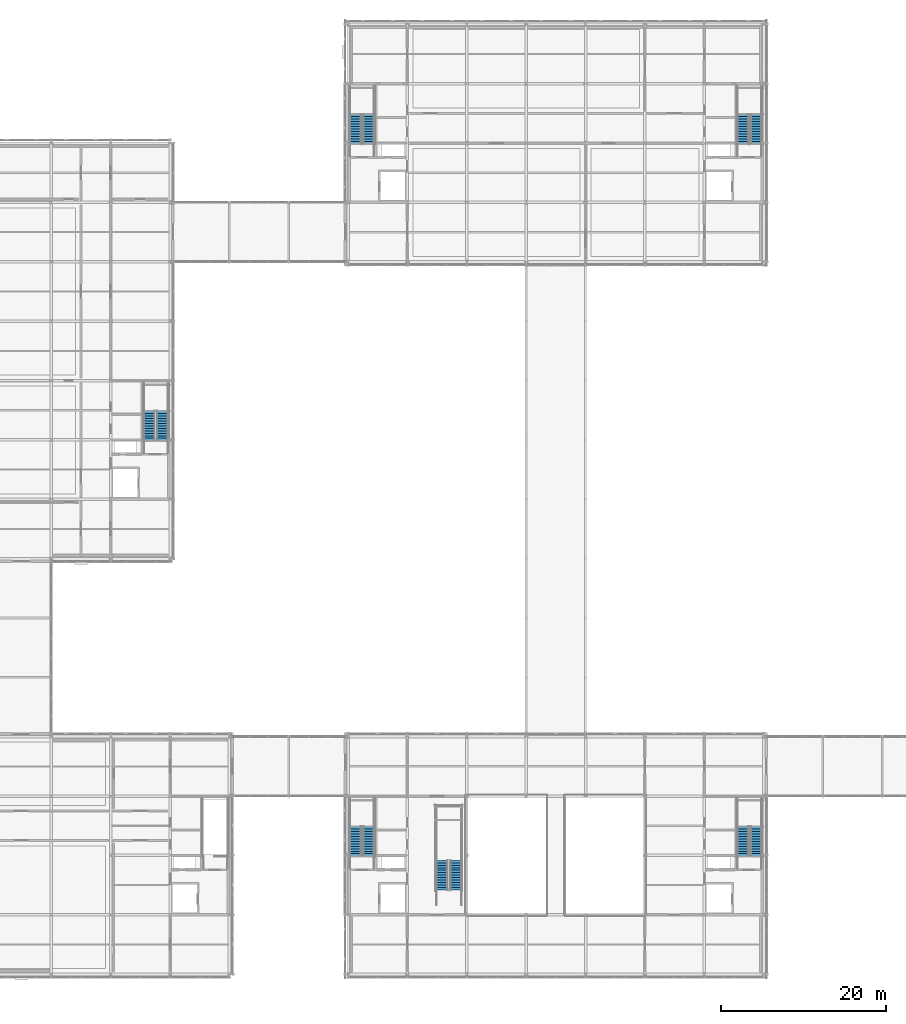
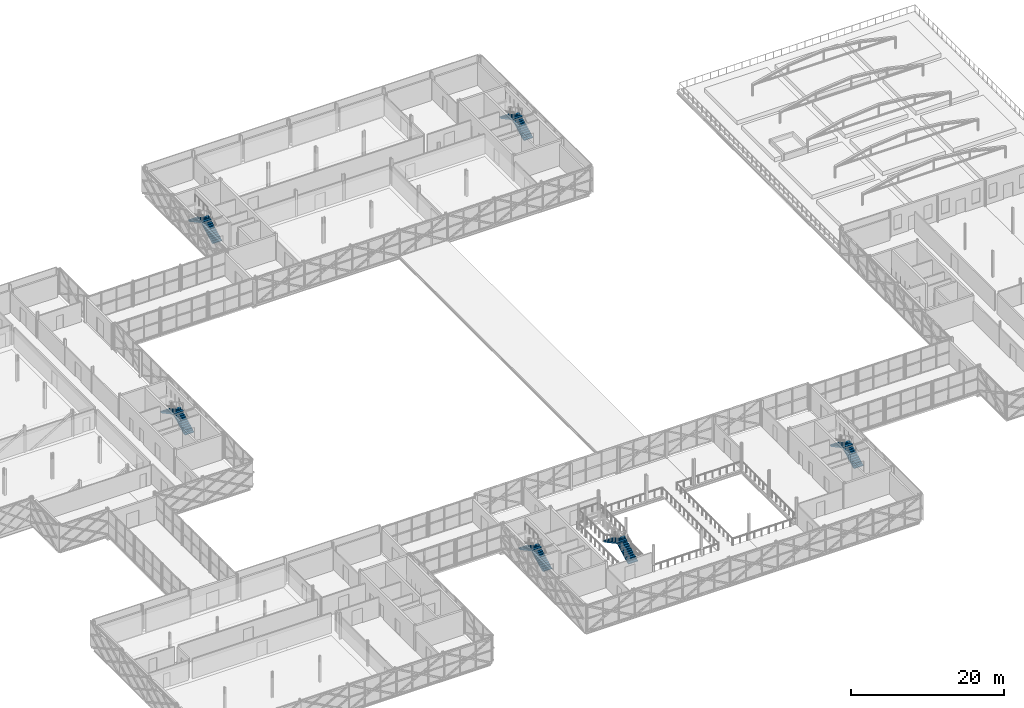
# One storey, part 110 of 126: 12 stair flights, 6 elements without a shape of their own.
"""IFC4 building model written with IfcOpenShell, lengths in metres."""

from ifc_helpers import new_model, si_unit, direction, frame, origin, place, context, subcontext, project, spatial, polyline, outline, extrude, material, type_object, element, aggregate, save


model = new_model("IFC4")

# Units and contexts
model_context = context("Model", 3, precision=1e-05, world=origin(), true_north=direction((0.0, 1.0)))
body_context = subcontext(model_context, "Body", "Model", "MODEL_VIEW")
ifc_project = project(units=[si_unit("LENGTHUNIT", "METRE"), si_unit("AREAUNIT", "SQUARE_METRE"), si_unit("VOLUMEUNIT", "CUBIC_METRE"), si_unit("PLANEANGLEUNIT", "RADIAN"), si_unit("MASSUNIT", "GRAM", prefix="KILO")], contexts=[model_context])

# Site, building, storey
site_placement = place(None, origin())
site = spatial("IfcSite", under=ifc_project, at=site_placement, CompositionType="ELEMENT")
building_placement = place(site_placement, origin())
building = spatial("IfcBuilding", under=site, at=building_placement, Name="Zlatovets Crest Museum", CompositionType="ELEMENT")
storey_placement = place(building_placement, frame((0.0, 0.0, 8.699951171875)))
storey = spatial("IfcBuildingStorey", under=building, at=storey_placement, Name="L02", CompositionType="ELEMENT", Elevation=8.699951171875)

# Stair, stair flights
ifc_material = material(Name="Concrete C35/45", Category="concrete")
stair_type_1 = type_object("IfcStairType", Name="Stair_ST1-26R", PredefinedType="HALF_TURN_STAIR", material=ifc_material)
stair_1_placement = place(storey_placement, origin())
stair_1 = element("IfcStair", 1, at=stair_1_placement, inside=storey, type_object=stair_type_1, Name="L02 Core C1 Escape Stair ST1", PredefinedType="HALF_TURN_STAIR")
stair_flight_type_1 = type_object("IfcStairFlightType", Name="Flight_ST1F-13R", PredefinedType="STRAIGHT", material=ifc_material)
stair_flight_1_placement = place(storey_placement, frame((60.10009765625, 100.699951171875, 0.0), z_axis=(0.0, 0.0, 1.0), x_axis=(0.0, 1.0, 0.0)))
stair_flight_1 = element("IfcStairFlight", 2, at=stair_flight_1_placement, type_object=stair_flight_type_1, Name="ST1 flight 1", NumberOfRisers=13, NumberOfTreads=12, PredefinedType="STRAIGHT", RiserHeight=0.161538462, TreadLength=0.3, context=body_context, shape_type="SweptSolid", body=[
    extrude(outline(polyline([(0.0, 0.0), (0.0, 0.16162109375), (0.300048828125, 0.16162109375), (0.300048828125, 0.322998046875), (0.60009765625, 0.322998046875), (0.60009765625, 0.484619140625), (0.89990234375, 0.484619140625), (0.89990234375, 0.646240234375), (1.199951171875, 0.646240234375), (1.199951171875, 0.8076171875), (1.5, 0.8076171875), (1.5, 0.96923828125), (1.800048828125, 0.96923828125), (1.800048828125, 1.130859375), (2.10009765625, 1.130859375), (2.10009765625, 1.292236328125), (2.39990234375, 1.292236328125), (2.39990234375, 1.453857421875), (2.699951171875, 1.453857421875), (2.699951171875, 1.615478515625), (3.0, 1.615478515625), (3.0, 1.77685546875), (3.300048828125, 1.77685546875), (3.300048828125, 1.9384765625), (3.60009765625, 1.9384765625), (3.60009765625, 2.10009765625), (3.60009765625, 1.768310546875), (0.316162109375, 0.0), (0.0, 0.0)])), frame((0.0, 0.699951171875, 0.0), z_axis=(0.0, -1.0, 0.0), x_axis=(1.0, 0.0, 0.0)), (0.0, 0.0, 1.0), 1.39990234375),
])
stair_flight_2_placement = place(storey_placement, frame((58.5, 104.300048828125, 2.10009765625), z_axis=(0.0, 0.0, 1.0), x_axis=(0.0, -1.0, 0.0)))
stair_flight_2 = element("IfcStairFlight", 3, at=stair_flight_2_placement, type_object=stair_flight_type_1, Name="ST1 flight 2", NumberOfRisers=13, NumberOfTreads=12, PredefinedType="STRAIGHT", RiserHeight=0.161538462, TreadLength=0.3, context=body_context, shape_type="SweptSolid", body=[
    extrude(outline(polyline([(0.0, 0.0), (0.0, 0.16162109375), (0.300048828125, 0.16162109375), (0.300048828125, 0.322998046875), (0.60009765625, 0.322998046875), (0.60009765625, 0.484619140625), (0.89990234375, 0.484619140625), (0.89990234375, 0.646240234375), (1.199951171875, 0.646240234375), (1.199951171875, 0.8076171875), (1.5, 0.8076171875), (1.5, 0.96923828125), (1.800048828125, 0.96923828125), (1.800048828125, 1.130859375), (2.10009765625, 1.130859375), (2.10009765625, 1.292236328125), (2.39990234375, 1.292236328125), (2.39990234375, 1.453857421875), (2.699951171875, 1.453857421875), (2.699951171875, 1.615478515625), (3.0, 1.615478515625), (3.0, 1.77685546875), (3.300048828125, 1.77685546875), (3.300048828125, 1.9384765625), (3.60009765625, 1.9384765625), (3.60009765625, 2.10009765625), (3.60009765625, 1.768310546875), (0.316162109375, 0.0), (0.0, 0.0)])), frame((0.0, 0.699951171875, 0.0), z_axis=(0.0, -1.0, 0.0), x_axis=(1.0, 0.0, 0.0)), (0.0, 0.0, 1.0), 1.39990234375),
])
aggregate(stair_1, [stair_flight_1, stair_flight_2])

stair_type_2 = type_object("IfcStairType", Name="Stair_ST2-26R", PredefinedType="HALF_TURN_STAIR", material=ifc_material)
stair_2_placement = place(storey_placement, origin())
stair_2 = element("IfcStair", 4, at=stair_2_placement, inside=storey, type_object=stair_type_2, Name="L02 Core C2 Escape Stair ST2", PredefinedType="HALF_TURN_STAIR")
stair_flight_type_2 = type_object("IfcStairFlightType", Name="Flight_ST2F-13R", PredefinedType="STRAIGHT", material=ifc_material)
stair_flight_3_placement = place(storey_placement, frame((60.10009765625, 14.300048828125, 0.0), z_axis=(0.0, 0.0, 1.0), x_axis=(0.0, 1.0, 0.0)))
stair_flight_3 = element("IfcStairFlight", 5, at=stair_flight_3_placement, type_object=stair_flight_type_2, Name="ST2 flight 1", NumberOfRisers=13, NumberOfTreads=12, PredefinedType="STRAIGHT", RiserHeight=0.161538462, TreadLength=0.3, context=body_context, shape_type="SweptSolid", body=[
    extrude(outline(polyline([(0.0, 0.0), (0.0, 0.16162109375), (0.300048828125, 0.16162109375), (0.300048828125, 0.322998046875), (0.60009765625, 0.322998046875), (0.60009765625, 0.484619140625), (0.89990234375, 0.484619140625), (0.89990234375, 0.646240234375), (1.199951171875, 0.646240234375), (1.199951171875, 0.8076171875), (1.5, 0.8076171875), (1.5, 0.96923828125), (1.800048828125, 0.96923828125), (1.800048828125, 1.130859375), (2.10009765625, 1.130859375), (2.10009765625, 1.292236328125), (2.39990234375, 1.292236328125), (2.39990234375, 1.453857421875), (2.699951171875, 1.453857421875), (2.699951171875, 1.615478515625), (3.0, 1.615478515625), (3.0, 1.77685546875), (3.300048828125, 1.77685546875), (3.300048828125, 1.9384765625), (3.60009765625, 1.9384765625), (3.60009765625, 2.10009765625), (3.60009765625, 1.768310546875), (0.316162109375, 0.0), (0.0, 0.0)])), frame((0.0, 0.699951171875, 0.0), z_axis=(0.0, -1.0, 0.0), x_axis=(1.0, 0.0, 0.0)), (0.0, 0.0, 1.0), 1.39990234375),
])
stair_flight_4_placement = place(storey_placement, frame((58.5, 17.89990234375, 2.10009765625), z_axis=(0.0, 0.0, 1.0), x_axis=(0.0, -1.0, 0.0)))
stair_flight_4 = element("IfcStairFlight", 6, at=stair_flight_4_placement, type_object=stair_flight_type_2, Name="ST2 flight 2", NumberOfRisers=13, NumberOfTreads=12, PredefinedType="STRAIGHT", RiserHeight=0.161538462, TreadLength=0.3, context=body_context, shape_type="SweptSolid", body=[
    extrude(outline(polyline([(0.0, 0.0), (0.0, 0.16162109375), (0.300048828125, 0.16162109375), (0.300048828125, 0.322998046875), (0.60009765625, 0.322998046875), (0.60009765625, 0.484619140625), (0.89990234375, 0.484619140625), (0.89990234375, 0.646240234375), (1.199951171875, 0.646240234375), (1.199951171875, 0.8076171875), (1.5, 0.8076171875), (1.5, 0.96923828125), (1.800048828125, 0.96923828125), (1.800048828125, 1.130859375), (2.10009765625, 1.130859375), (2.10009765625, 1.292236328125), (2.39990234375, 1.292236328125), (2.39990234375, 1.453857421875), (2.699951171875, 1.453857421875), (2.699951171875, 1.615478515625), (3.0, 1.615478515625), (3.0, 1.77685546875), (3.300048828125, 1.77685546875), (3.300048828125, 1.9384765625), (3.60009765625, 1.9384765625), (3.60009765625, 2.10009765625), (3.60009765625, 1.768310546875), (0.316162109375, 0.0), (0.0, 0.0)])), frame((0.0, 0.699951171875, 0.0), z_axis=(0.0, -1.0, 0.0), x_axis=(1.0, 0.0, 0.0)), (0.0, 0.0, 1.0), 1.39990234375),
])
aggregate(stair_2, [stair_flight_3, stair_flight_4])

stair_type_3 = type_object("IfcStairType", Name="Stair_ST4-26R", PredefinedType="HALF_TURN_STAIR", material=ifc_material)
stair_3_placement = place(storey_placement, origin())
stair_3 = element("IfcStair", 7, at=stair_3_placement, inside=storey, type_object=stair_type_3, Name="L02 Core C4 Escape Stair ST4", PredefinedType="HALF_TURN_STAIR")
stair_flight_type_3 = type_object("IfcStairFlightType", Name="Flight_ST4F-13R", PredefinedType="STRAIGHT", material=ifc_material)
stair_flight_5_placement = place(storey_placement, frame((35.10009765625, 64.699951171875, 0.0), z_axis=(0.0, 0.0, 1.0), x_axis=(0.0, 1.0, 0.0)))
stair_flight_5 = element("IfcStairFlight", 8, at=stair_flight_5_placement, type_object=stair_flight_type_3, Name="ST4 flight 1", NumberOfRisers=13, NumberOfTreads=12, PredefinedType="STRAIGHT", RiserHeight=0.161538462, TreadLength=0.3, context=body_context, shape_type="SweptSolid", body=[
    extrude(outline(polyline([(0.0, 0.0), (0.0, 0.16162109375), (0.300048828125, 0.16162109375), (0.300048828125, 0.322998046875), (0.60009765625, 0.322998046875), (0.60009765625, 0.484619140625), (0.89990234375, 0.484619140625), (0.89990234375, 0.646240234375), (1.199951171875, 0.646240234375), (1.199951171875, 0.8076171875), (1.5, 0.8076171875), (1.5, 0.96923828125), (1.800048828125, 0.96923828125), (1.800048828125, 1.130859375), (2.10009765625, 1.130859375), (2.10009765625, 1.292236328125), (2.39990234375, 1.292236328125), (2.39990234375, 1.453857421875), (2.699951171875, 1.453857421875), (2.699951171875, 1.615478515625), (3.0, 1.615478515625), (3.0, 1.77685546875), (3.300048828125, 1.77685546875), (3.300048828125, 1.9384765625), (3.60009765625, 1.9384765625), (3.60009765625, 2.10009765625), (3.60009765625, 1.768310546875), (0.316162109375, 0.0), (0.0, 0.0)])), frame((0.0, 0.699951171875, 0.0), z_axis=(0.0, -1.0, 0.0), x_axis=(1.0, 0.0, 0.0)), (0.0, 0.0, 1.0), 1.39990234375),
])
stair_flight_6_placement = place(storey_placement, frame((33.5, 68.300048828125, 2.10009765625), z_axis=(0.0, 0.0, 1.0), x_axis=(0.0, -1.0, 0.0)))
stair_flight_6 = element("IfcStairFlight", 9, at=stair_flight_6_placement, type_object=stair_flight_type_3, Name="ST4 flight 2", NumberOfRisers=13, NumberOfTreads=12, PredefinedType="STRAIGHT", RiserHeight=0.161538462, TreadLength=0.3, context=body_context, shape_type="SweptSolid", body=[
    extrude(outline(polyline([(0.0, 0.0), (0.0, 0.16162109375), (0.300048828125, 0.16162109375), (0.300048828125, 0.322998046875), (0.60009765625, 0.322998046875), (0.60009765625, 0.484619140625), (0.89990234375, 0.484619140625), (0.89990234375, 0.646240234375), (1.199951171875, 0.646240234375), (1.199951171875, 0.8076171875), (1.5, 0.8076171875), (1.5, 0.96923828125), (1.800048828125, 0.96923828125), (1.800048828125, 1.130859375), (2.10009765625, 1.130859375), (2.10009765625, 1.292236328125), (2.39990234375, 1.292236328125), (2.39990234375, 1.453857421875), (2.699951171875, 1.453857421875), (2.699951171875, 1.615478515625), (3.0, 1.615478515625), (3.0, 1.77685546875), (3.300048828125, 1.77685546875), (3.300048828125, 1.9384765625), (3.60009765625, 1.9384765625), (3.60009765625, 2.10009765625), (3.60009765625, 1.768310546875), (0.316162109375, 0.0), (0.0, 0.0)])), frame((0.0, 0.699951171875, 0.0), z_axis=(0.0, -1.0, 0.0), x_axis=(1.0, 0.0, 0.0)), (0.0, 0.0, 1.0), 1.39990234375),
])
aggregate(stair_3, [stair_flight_5, stair_flight_6])

stair_type_4 = type_object("IfcStairType", Name="Stair_ST6-26R", PredefinedType="HALF_TURN_STAIR", material=ifc_material)
stair_4_placement = place(storey_placement, origin())
stair_4 = element("IfcStair", 10, at=stair_4_placement, inside=storey, type_object=stair_type_4, Name="L02 Atrium Feature Stair ST6", PredefinedType="HALF_TURN_STAIR")
stair_flight_type_4 = type_object("IfcStairFlightType", Name="Flight_ST6F-13R", PredefinedType="STRAIGHT", material=ifc_material)
stair_flight_7_placement = place(storey_placement, frame((70.675048828125, 10.199951171875, 0.0), z_axis=(0.0, 0.0, 1.0), x_axis=(0.0, 1.0, 0.0)))
stair_flight_7 = element("IfcStairFlight", 11, at=stair_flight_7_placement, type_object=stair_flight_type_4, Name="ST6 flight 1", NumberOfRisers=13, NumberOfTreads=12, PredefinedType="STRAIGHT", RiserHeight=0.161538462, TreadLength=0.3, context=body_context, shape_type="SweptSolid", body=[
    extrude(outline(polyline([(0.0, 0.0), (0.0, 0.16162109375), (0.300048828125, 0.16162109375), (0.300048828125, 0.322998046875), (0.60009765625, 0.322998046875), (0.60009765625, 0.484619140625), (0.89990234375, 0.484619140625), (0.89990234375, 0.646240234375), (1.199951171875, 0.646240234375), (1.199951171875, 0.8076171875), (1.5, 0.8076171875), (1.5, 0.96923828125), (1.800048828125, 0.96923828125), (1.800048828125, 1.130859375), (2.10009765625, 1.130859375), (2.10009765625, 1.292236328125), (2.39990234375, 1.292236328125), (2.39990234375, 1.453857421875), (2.699951171875, 1.453857421875), (2.699951171875, 1.615478515625), (3.0, 1.615478515625), (3.0, 1.77685546875), (3.300048828125, 1.77685546875), (3.300048828125, 1.9384765625), (3.60009765625, 1.9384765625), (3.60009765625, 2.10009765625), (3.60009765625, 1.768310546875), (0.316162109375, 0.0), (0.0, 0.0)])), frame((0.0, 0.72509765625, 0.0), z_axis=(0.0, -1.0, 0.0), x_axis=(1.0, 0.0, 0.0)), (0.0, 0.0, 1.0), 1.449951171875),
])
stair_flight_8_placement = place(storey_placement, frame((68.97509765625, 13.800048828125, 2.10009765625), z_axis=(0.0, 0.0, 1.0), x_axis=(0.0, -1.0, 0.0)))
stair_flight_8 = element("IfcStairFlight", 12, at=stair_flight_8_placement, type_object=stair_flight_type_4, Name="ST6 flight 2", NumberOfRisers=13, NumberOfTreads=12, PredefinedType="STRAIGHT", RiserHeight=0.161538462, TreadLength=0.3, context=body_context, shape_type="SweptSolid", body=[
    extrude(outline(polyline([(0.0, 0.0), (0.0, 0.16162109375), (0.300048828125, 0.16162109375), (0.300048828125, 0.322998046875), (0.60009765625, 0.322998046875), (0.60009765625, 0.484619140625), (0.89990234375, 0.484619140625), (0.89990234375, 0.646240234375), (1.199951171875, 0.646240234375), (1.199951171875, 0.8076171875), (1.5, 0.8076171875), (1.5, 0.96923828125), (1.800048828125, 0.96923828125), (1.800048828125, 1.130859375), (2.10009765625, 1.130859375), (2.10009765625, 1.292236328125), (2.39990234375, 1.292236328125), (2.39990234375, 1.453857421875), (2.699951171875, 1.453857421875), (2.699951171875, 1.615478515625), (3.0, 1.615478515625), (3.0, 1.77685546875), (3.300048828125, 1.77685546875), (3.300048828125, 1.9384765625), (3.60009765625, 1.9384765625), (3.60009765625, 2.10009765625), (3.60009765625, 1.768310546875), (0.316162109375, 0.0), (0.0, 0.0)])), frame((0.0, 0.72509765625, 0.0), z_axis=(0.0, -1.0, 0.0), x_axis=(1.0, 0.0, 0.0)), (0.0, 0.0, 1.0), 1.449951171875),
])
aggregate(stair_4, [stair_flight_7, stair_flight_8])

stair_type_5 = type_object("IfcStairType", Name="Stair_ST7-26R", PredefinedType="HALF_TURN_STAIR", material=ifc_material)
stair_5_placement = place(storey_placement, origin())
stair_5 = element("IfcStair", 13, at=stair_5_placement, inside=storey, type_object=stair_type_5, Name="L02 Core C6 Escape Stair ST7", PredefinedType="HALF_TURN_STAIR")
stair_flight_type_5 = type_object("IfcStairFlightType", Name="Flight_ST7F-13R", PredefinedType="STRAIGHT", material=ifc_material)
stair_flight_9_placement = place(storey_placement, frame((107.10009765625, 100.699951171875, 0.0), z_axis=(0.0, 0.0, 1.0), x_axis=(0.0, 1.0, 0.0)))
stair_flight_9 = element("IfcStairFlight", 14, at=stair_flight_9_placement, type_object=stair_flight_type_5, Name="ST7 flight 1", NumberOfRisers=13, NumberOfTreads=12, PredefinedType="STRAIGHT", RiserHeight=0.161538462, TreadLength=0.3, context=body_context, shape_type="SweptSolid", body=[
    extrude(outline(polyline([(0.0, 0.0), (0.0, 0.16162109375), (0.300048828125, 0.16162109375), (0.300048828125, 0.322998046875), (0.60009765625, 0.322998046875), (0.60009765625, 0.484619140625), (0.89990234375, 0.484619140625), (0.89990234375, 0.646240234375), (1.199951171875, 0.646240234375), (1.199951171875, 0.8076171875), (1.5, 0.8076171875), (1.5, 0.96923828125), (1.800048828125, 0.96923828125), (1.800048828125, 1.130859375), (2.10009765625, 1.130859375), (2.10009765625, 1.292236328125), (2.39990234375, 1.292236328125), (2.39990234375, 1.453857421875), (2.699951171875, 1.453857421875), (2.699951171875, 1.615478515625), (3.0, 1.615478515625), (3.0, 1.77685546875), (3.300048828125, 1.77685546875), (3.300048828125, 1.9384765625), (3.60009765625, 1.9384765625), (3.60009765625, 2.10009765625), (3.60009765625, 1.768310546875), (0.316162109375, 0.0), (0.0, 0.0)])), frame((0.0, 0.699951171875, 0.0), z_axis=(0.0, -1.0, 0.0), x_axis=(1.0, 0.0, 0.0)), (0.0, 0.0, 1.0), 1.39990234375),
])
stair_flight_10_placement = place(storey_placement, frame((105.5, 104.300048828125, 2.10009765625), z_axis=(0.0, 0.0, 1.0), x_axis=(0.0, -1.0, 0.0)))
stair_flight_10 = element("IfcStairFlight", 15, at=stair_flight_10_placement, type_object=stair_flight_type_5, Name="ST7 flight 2", NumberOfRisers=13, NumberOfTreads=12, PredefinedType="STRAIGHT", RiserHeight=0.161538462, TreadLength=0.3, context=body_context, shape_type="SweptSolid", body=[
    extrude(outline(polyline([(0.0, 0.0), (0.0, 0.16162109375), (0.300048828125, 0.16162109375), (0.300048828125, 0.322998046875), (0.60009765625, 0.322998046875), (0.60009765625, 0.484619140625), (0.89990234375, 0.484619140625), (0.89990234375, 0.646240234375), (1.199951171875, 0.646240234375), (1.199951171875, 0.8076171875), (1.5, 0.8076171875), (1.5, 0.96923828125), (1.800048828125, 0.96923828125), (1.800048828125, 1.130859375), (2.10009765625, 1.130859375), (2.10009765625, 1.292236328125), (2.39990234375, 1.292236328125), (2.39990234375, 1.453857421875), (2.699951171875, 1.453857421875), (2.699951171875, 1.615478515625), (3.0, 1.615478515625), (3.0, 1.77685546875), (3.300048828125, 1.77685546875), (3.300048828125, 1.9384765625), (3.60009765625, 1.9384765625), (3.60009765625, 2.10009765625), (3.60009765625, 1.768310546875), (0.316162109375, 0.0), (0.0, 0.0)])), frame((0.0, 0.699951171875, 0.0), z_axis=(0.0, -1.0, 0.0), x_axis=(1.0, 0.0, 0.0)), (0.0, 0.0, 1.0), 1.39990234375),
])
aggregate(stair_5, [stair_flight_9, stair_flight_10])

stair_type_6 = type_object("IfcStairType", Name="Stair_ST9-26R", PredefinedType="HALF_TURN_STAIR", material=ifc_material)
stair_6_placement = place(storey_placement, origin())
stair_6 = element("IfcStair", 16, at=stair_6_placement, inside=storey, type_object=stair_type_6, Name="L02 Core C8 Escape Stair ST9", PredefinedType="HALF_TURN_STAIR")
stair_flight_type_6 = type_object("IfcStairFlightType", Name="Flight_ST9F-13R", PredefinedType="STRAIGHT", material=ifc_material)
stair_flight_11_placement = place(storey_placement, frame((107.10009765625, 14.300048828125, 0.0), z_axis=(0.0, 0.0, 1.0), x_axis=(0.0, 1.0, 0.0)))
stair_flight_11 = element("IfcStairFlight", 17, at=stair_flight_11_placement, type_object=stair_flight_type_6, Name="ST9 flight 1", NumberOfRisers=13, NumberOfTreads=12, PredefinedType="STRAIGHT", RiserHeight=0.161538462, TreadLength=0.3, context=body_context, shape_type="SweptSolid", body=[
    extrude(outline(polyline([(0.0, 0.0), (0.0, 0.16162109375), (0.300048828125, 0.16162109375), (0.300048828125, 0.322998046875), (0.60009765625, 0.322998046875), (0.60009765625, 0.484619140625), (0.89990234375, 0.484619140625), (0.89990234375, 0.646240234375), (1.199951171875, 0.646240234375), (1.199951171875, 0.8076171875), (1.5, 0.8076171875), (1.5, 0.96923828125), (1.800048828125, 0.96923828125), (1.800048828125, 1.130859375), (2.10009765625, 1.130859375), (2.10009765625, 1.292236328125), (2.39990234375, 1.292236328125), (2.39990234375, 1.453857421875), (2.699951171875, 1.453857421875), (2.699951171875, 1.615478515625), (3.0, 1.615478515625), (3.0, 1.77685546875), (3.300048828125, 1.77685546875), (3.300048828125, 1.9384765625), (3.60009765625, 1.9384765625), (3.60009765625, 2.10009765625), (3.60009765625, 1.768310546875), (0.316162109375, 0.0), (0.0, 0.0)])), frame((0.0, 0.699951171875, 0.0), z_axis=(0.0, -1.0, 0.0), x_axis=(1.0, 0.0, 0.0)), (0.0, 0.0, 1.0), 1.39990234375),
])
stair_flight_12_placement = place(storey_placement, frame((105.5, 17.89990234375, 2.10009765625), z_axis=(0.0, 0.0, 1.0), x_axis=(0.0, -1.0, 0.0)))
stair_flight_12 = element("IfcStairFlight", 18, at=stair_flight_12_placement, type_object=stair_flight_type_6, Name="ST9 flight 2", NumberOfRisers=13, NumberOfTreads=12, PredefinedType="STRAIGHT", RiserHeight=0.161538462, TreadLength=0.3, context=body_context, shape_type="SweptSolid", body=[
    extrude(outline(polyline([(0.0, 0.0), (0.0, 0.16162109375), (0.300048828125, 0.16162109375), (0.300048828125, 0.322998046875), (0.60009765625, 0.322998046875), (0.60009765625, 0.484619140625), (0.89990234375, 0.484619140625), (0.89990234375, 0.646240234375), (1.199951171875, 0.646240234375), (1.199951171875, 0.8076171875), (1.5, 0.8076171875), (1.5, 0.96923828125), (1.800048828125, 0.96923828125), (1.800048828125, 1.130859375), (2.10009765625, 1.130859375), (2.10009765625, 1.292236328125), (2.39990234375, 1.292236328125), (2.39990234375, 1.453857421875), (2.699951171875, 1.453857421875), (2.699951171875, 1.615478515625), (3.0, 1.615478515625), (3.0, 1.77685546875), (3.300048828125, 1.77685546875), (3.300048828125, 1.9384765625), (3.60009765625, 1.9384765625), (3.60009765625, 2.10009765625), (3.60009765625, 1.768310546875), (0.316162109375, 0.0), (0.0, 0.0)])), frame((0.0, 0.699951171875, 0.0), z_axis=(0.0, -1.0, 0.0), x_axis=(1.0, 0.0, 0.0)), (0.0, 0.0, 1.0), 1.39990234375),
])
aggregate(stair_6, [stair_flight_11, stair_flight_12])

save(model, "model.ifc")
